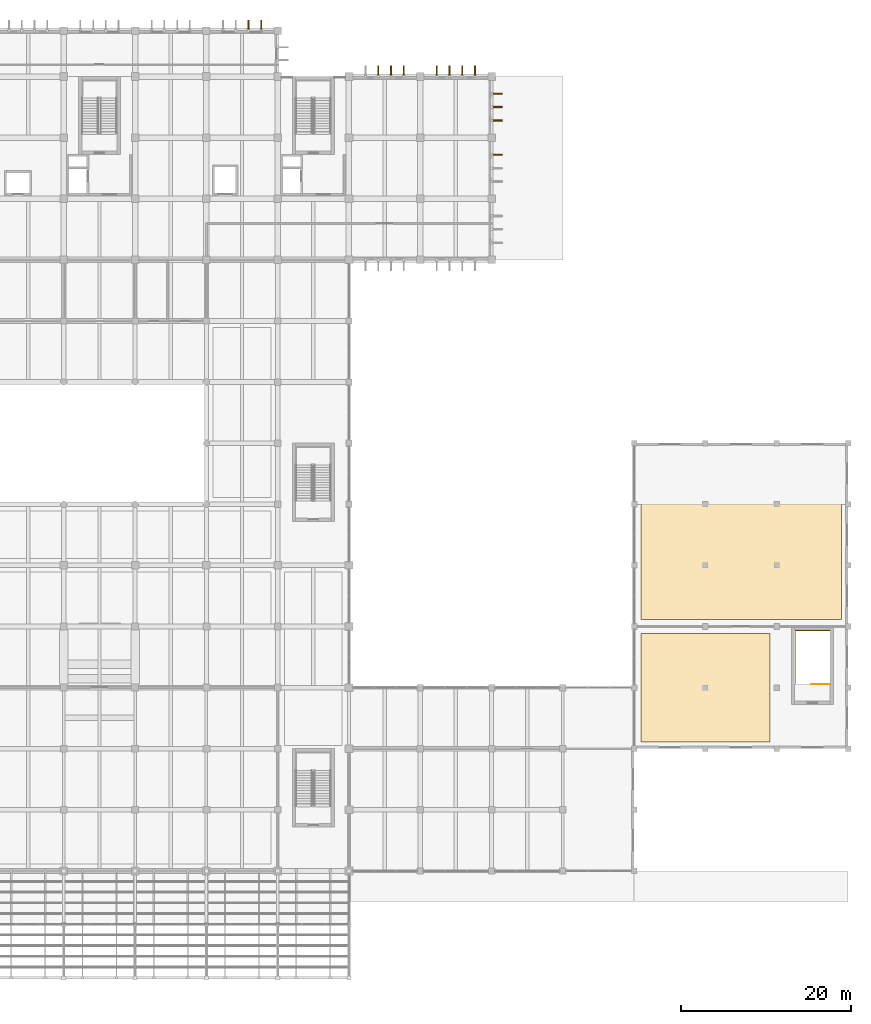
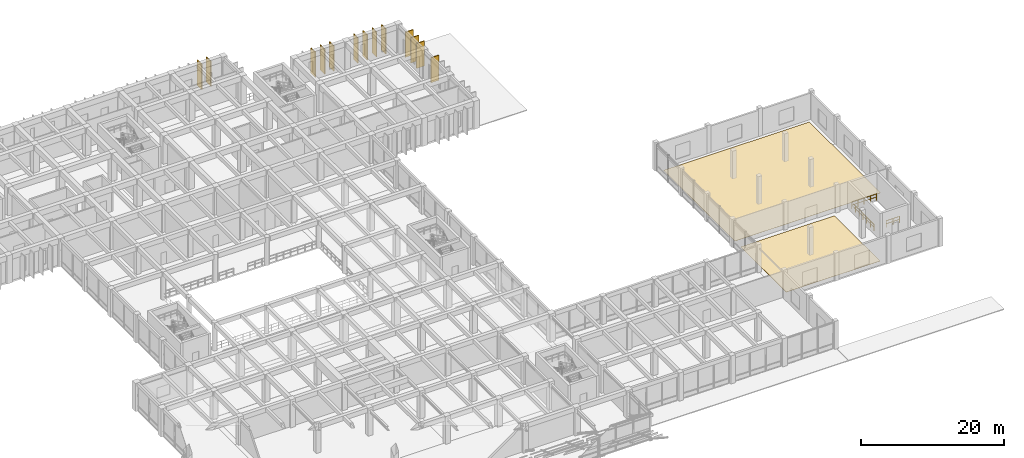
# One storey, part 52 of 52: 13 shading devices, 2 coverings, 2 railings.
"""IFC4 building model written with IfcOpenShell, lengths in metres."""

from ifc_helpers import new_model, si_unit, direction, frame, origin, origin_2d, place, context, subcontext, project, spatial, polyline, rectangle, circle, outline, extrude, material, layer, layer_set, type_object, element, save


model = new_model("IFC4")

# Units and contexts
model_context = context("Model", 3, precision=1e-05, world=origin(), true_north=direction((0.0, 1.0)))
body_context = subcontext(model_context, "Body", "Model", "MODEL_VIEW")
ifc_project = project(units=[si_unit("LENGTHUNIT", "METRE"), si_unit("AREAUNIT", "SQUARE_METRE"), si_unit("VOLUMEUNIT", "CUBIC_METRE"), si_unit("PLANEANGLEUNIT", "RADIAN"), si_unit("MASSUNIT", "GRAM", prefix="KILO")], contexts=[model_context])

# Site, building, storey
site_placement = place(None, origin())
site = spatial("IfcSite", under=ifc_project, at=site_placement, CompositionType="ELEMENT")
building_placement = place(site_placement, origin())
building = spatial("IfcBuilding", under=site, at=building_placement, Name="Kenerak Square Central Library", CompositionType="ELEMENT")
storey_placement = place(building_placement, frame((0.0, 0.0, 4.800048828125)))
storey = spatial("IfcBuildingStorey", under=building, at=storey_placement, Name="L01", CompositionType="ELEMENT", Elevation=4.800048828125)

# Coverings
ifc_material_1 = material(Name="Polished granite aggregate terrazzo", Category="masonry")
ifc_layer = layer(ifc_material_1, 0.02490234375)
ifc_layer_set = layer_set([ifc_layer], Name="Polished granite aggregate terrazzo")
covering_type = type_object("IfcCoveringType", Name="Polished Terrazzo Reading Floor Finish CV-FLR", PredefinedType="FLOORING", material=ifc_layer_set)
covering_1_placement = place(storey_placement, origin())
element("IfcCovering", 1, at=covering_1_placement, inside=storey, type_object=covering_type, Name="Terrazzo Floor Finish L01-07", PredefinedType="FLOORING", context=body_context, shape_type="SweptSolid", body=[
    extrude(outline(polyline([(151.60009765625, 66.39990234375), (175.199951171875, 66.39990234375), (175.199951171875, 46.39990234375), (151.60009765625, 46.39990234375), (151.60009765625, 66.39990234375)])), origin(), (0.0, 0.0, 1.0), 0.02490234375),
])
covering_2_placement = place(storey_placement, origin())
element("IfcCovering", 2, at=covering_2_placement, inside=storey, type_object=covering_type, Name="Terrazzo Floor Finish L01-08", PredefinedType="FLOORING", context=body_context, shape_type="SweptSolid", body=[
    extrude(outline(polyline([(151.60009765625, 44.800048828125), (166.800048828125, 44.800048828125), (166.800048828125, 32.0), (151.60009765625, 32.0), (151.60009765625, 44.800048828125)])), origin(), (0.0, 0.0, 1.0), 0.02490234375),
])

# Shading devices
ifc_material_2 = material(Name="White precast concrete C40/50", Category="concrete")
shading_device_type = type_object("IfcShadingDeviceType", Name="Precast Vertical Solar Fin SF-1280 C40/50", PredefinedType="USERDEFINED", material=ifc_material_2)
for number, where, z_axis, x_axis, name in (
    (3, (105.35009765625, 116.419921875, 0.10009765625), (0.0, 0.0, 1.0), (1.0, 0.0, 0.0), "Precast Solar Fin FIN-01 L01 0042"),
    (4, (106.85009765625, 116.419921875, 0.10009765625), (0.0, 0.0, 1.0), (1.0, 0.0, 0.0), "Precast Solar Fin FIN-01 L01 0043"),
    (5, (120.64990234375, 111.02001953125, 0.10009765625), (0.0, 0.0, 1.0), (1.0, 0.0, 0.0), "Precast Solar Fin FIN-01 L01 0047"),
    (6, (122.14990234375, 111.02001953125, 0.10009765625), (0.0, 0.0, 1.0), (1.0, 0.0, 0.0), "Precast Solar Fin FIN-01 L01 0048"),
    (7, (123.64990234375, 111.02001953125, 0.10009765625), (0.0, 0.0, 1.0), (1.0, 0.0, 0.0), "Precast Solar Fin FIN-01 L01 0049"),
    (8, (127.550048828125, 111.02001953125, 0.10009765625), (0.0, 0.0, 1.0), (1.0, 0.0, 0.0), "Precast Solar Fin FIN-01 L01 0050"),
    (9, (129.050048828125, 111.02001953125, 0.10009765625), (0.0, 0.0, 1.0), (1.0, 0.0, 0.0), "Precast Solar Fin FIN-01 L01 0051"),
    (10, (130.550048828125, 111.02001953125, 0.10009765625), (0.0, 0.0, 1.0), (1.0, 0.0, 0.0), "Precast Solar Fin FIN-01 L01 0052"),
    (11, (132.050048828125, 111.02001953125, 0.10009765625), (0.0, 0.0, 1.0), (1.0, 0.0, 0.0), "Precast Solar Fin FIN-01 L01 0053"),
    (12, (134.6201171875, 108.375, 0.10009765625), (0.0, 0.0, 1.0), (0.0, -1.0, 0.0), "Precast Solar Fin FIN-01 L01 0054"),
    (13, (134.6201171875, 106.800048828125, 0.10009765625), (0.0, 0.0, 1.0), (0.0, -1.0, 0.0), "Precast Solar Fin FIN-01 L01 0055"),
    (14, (134.6201171875, 105.22509765625, 0.10009765625), (0.0, 0.0, 1.0), (0.0, -1.0, 0.0), "Precast Solar Fin FIN-01 L01 0056"),
    (15, (134.6201171875, 101.175048828125, 0.10009765625), (0.0, 0.0, 1.0), (0.0, -1.0, 0.0), "Precast Solar Fin FIN-01 L01 0057"),
):
    element("IfcShadingDevice", number, at=place(storey_placement, frame(where, z_axis=z_axis, x_axis=x_axis)), inside=storey, type_object=shading_device_type, Name=name, ObjectType="FIN", PredefinedType="USERDEFINED", context=body_context, shape_type="SweptSolid", body=[
        extrude(rectangle(XDim=0.139892578125, YDim=1.280029296875, at=origin_2d()), origin(), (0.0, 0.0, 1.0), 4.300048828125),
    ])

# Railings
ifc_material_3 = material(Name="Steel S355", Category="steel")
railing_type = type_object("IfcRailingType", Name="Safety Guardrail GR-1100 S355", PredefinedType="GUARDRAIL", material=ifc_material_3)
railing_1_placement = place(storey_placement, frame((173.8798828125, 38.800048828125, 0.0)))
element("IfcRailing", 16, at=railing_1_placement, inside=storey, type_object=railing_type, Name="L01 ST-07 top well guard 1", PredefinedType="GUARDRAIL", context=body_context, shape_type="SweptSolid", body=[
    extrude(circle(Radius=0.02392578125, at=origin_2d()), frame((0.0, 0.0, 1.076171875), z_axis=(-1.0, 0.0, 0.0), x_axis=(0.0, -1.0, 0.0)), (0.0, 0.0, 1.0), 2.179931640625),
    extrude(circle(Radius=0.01806640625, at=origin_2d()), frame((0.0, 0.0, 0.572021484375), z_axis=(-1.0, 0.0, 0.0), x_axis=(0.0, -1.0, 0.0)), (0.0, 0.0, 1.0), 2.179931640625),
    extrude(circle(Radius=0.02099609375, at=origin_2d()), origin(), (0.0, 0.0, 1.0), 1.052001953125),
    extrude(circle(Radius=0.02099609375, at=origin_2d()), frame((-1.08984375, 0.0, 0.0)), (0.0, 0.0, 1.0), 1.052001953125),
    extrude(circle(Radius=0.02099609375, at=origin_2d()), frame((-2.179931640625, 0.0, 0.0)), (0.0, 0.0, 1.0), 1.052001953125),
])
railing_2_placement = place(storey_placement, frame((169.780029296875, 38.85009765625, 0.0)))
element("IfcRailing", 17, at=railing_2_placement, inside=storey, type_object=railing_type, Name="Stair Well Floor Guard ST-07 L01", PredefinedType="GUARDRAIL", context=body_context, shape_type="SweptSolid", body=[
    extrude(circle(Radius=0.02392578125, at=origin_2d()), frame((0.0, 0.0, 1.076171875), z_axis=(0.0, 1.0, 0.0), x_axis=(-1.0, 0.0, 0.0)), (0.0, 0.0, 1.0), 6.2998046875),
    extrude(circle(Radius=0.01806640625, at=origin_2d()), frame((0.0, 0.0, 0.572021484375), z_axis=(0.0, 1.0, 0.0), x_axis=(-1.0, 0.0, 0.0)), (0.0, 0.0, 1.0), 6.2998046875),
    extrude(circle(Radius=0.02392578125, at=origin_2d()), frame((0.0, 6.2998046875, 1.076171875), z_axis=(1.0, 0.0, 0.0), x_axis=(0.0, 1.0, 0.0)), (0.0, 0.0, 1.0), 4.0400390625),
    extrude(circle(Radius=0.01806640625, at=origin_2d()), frame((0.0, 6.2998046875, 0.572021484375), z_axis=(1.0, 0.0, 0.0), x_axis=(0.0, 1.0, 0.0)), (0.0, 0.0, 1.0), 4.0400390625),
    extrude(circle(Radius=0.02099609375, at=origin_2d()), origin(), (0.0, 0.0, 1.0), 1.052001953125),
    extrude(circle(Radius=0.02099609375, at=origin_2d()), frame((0.0, 1.050048828125, 0.0)), (0.0, 0.0, 1.0), 1.052001953125),
    extrude(circle(Radius=0.02099609375, at=origin_2d()), frame((0.0, 2.099853515625, 0.0)), (0.0, 0.0, 1.0), 1.052001953125),
    extrude(circle(Radius=0.02099609375, at=origin_2d()), frame((0.0, 3.14990234375, 0.0)), (0.0, 0.0, 1.0), 1.052001953125),
    extrude(circle(Radius=0.02099609375, at=origin_2d()), frame((0.0, 4.199951171875, 0.0)), (0.0, 0.0, 1.0), 1.052001953125),
    extrude(circle(Radius=0.02099609375, at=origin_2d()), frame((0.0, 5.249755859375, 0.0)), (0.0, 0.0, 1.0), 1.052001953125),
    extrude(circle(Radius=0.02099609375, at=origin_2d()), frame((0.0, 6.2998046875, 0.0)), (0.0, 0.0, 1.0), 1.052001953125),
    extrude(circle(Radius=0.02099609375, at=origin_2d()), frame((1.010009765625, 6.2998046875, 0.0)), (0.0, 0.0, 1.0), 1.052001953125),
    extrude(circle(Radius=0.02099609375, at=origin_2d()), frame((2.02001953125, 6.2998046875, 0.0)), (0.0, 0.0, 1.0), 1.052001953125),
    extrude(circle(Radius=0.02099609375, at=origin_2d()), frame((3.030029296875, 6.2998046875, 0.0)), (0.0, 0.0, 1.0), 1.052001953125),
    extrude(circle(Radius=0.02099609375, at=origin_2d()), frame((4.0400390625, 6.2998046875, 0.0)), (0.0, 0.0, 1.0), 1.052001953125),
])

save(model, "model.ifc")
